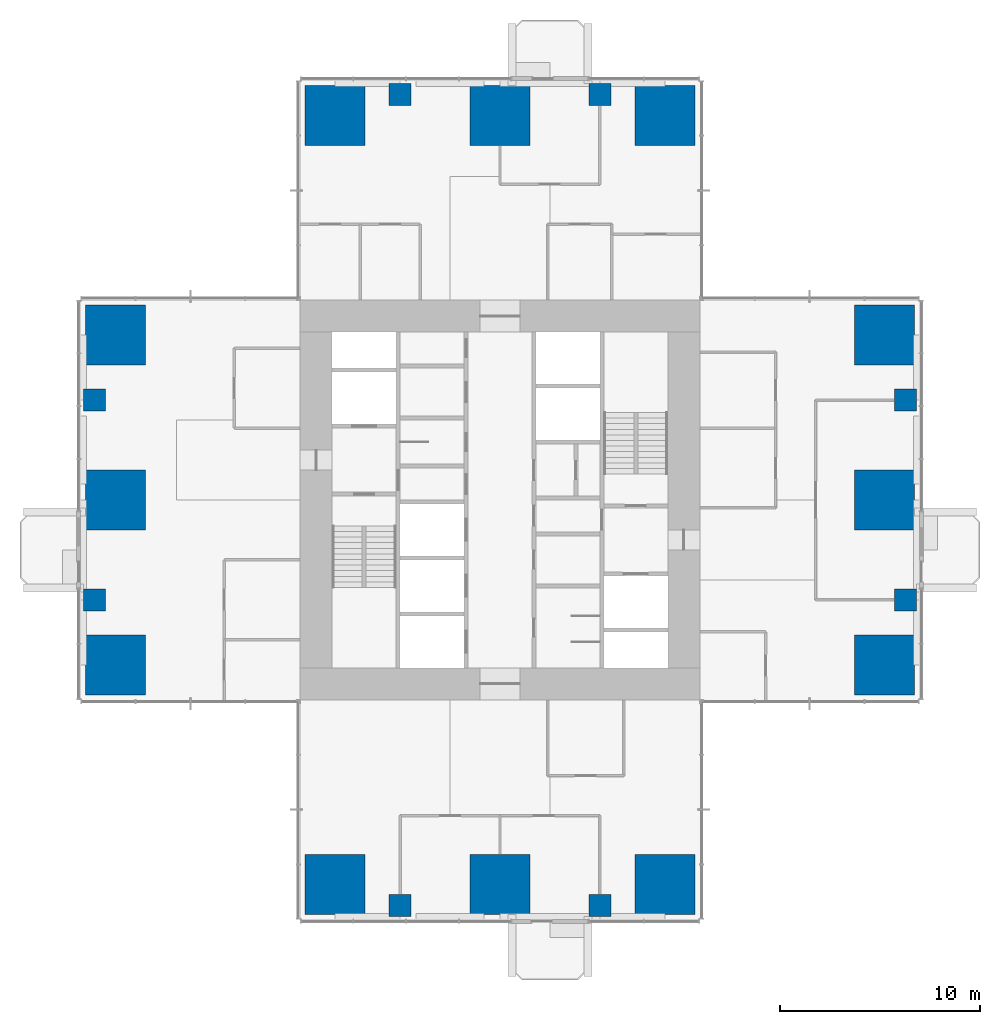
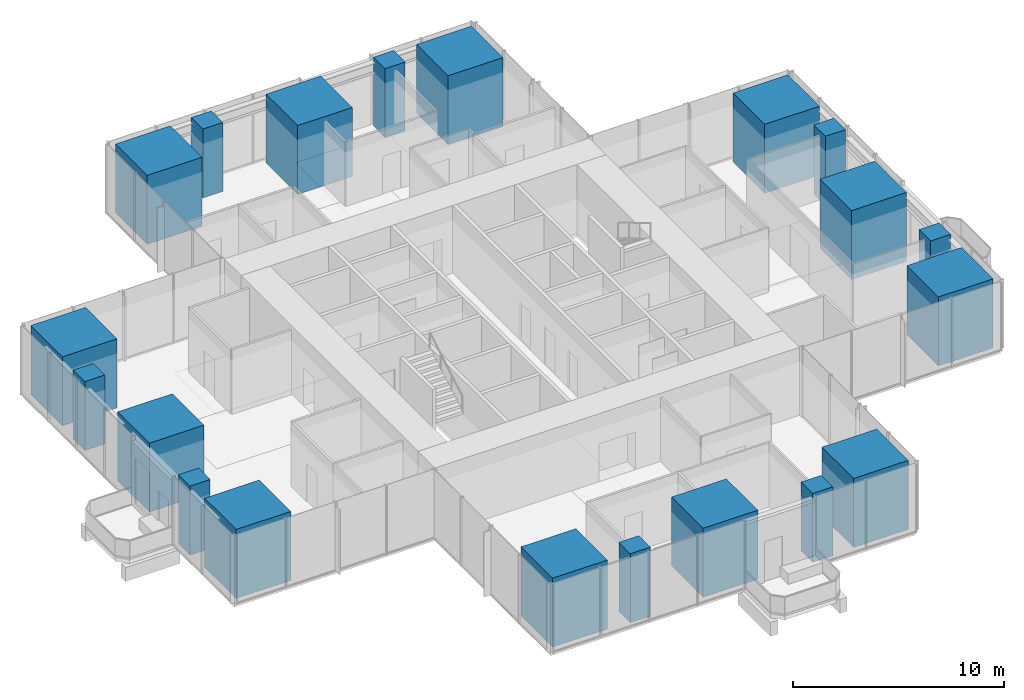
# One storey, part 1 of 13: 20 columns.
"""IFC4 building model written with IfcOpenShell, lengths in metres."""

from ifc_helpers import new_model, si_unit, direction, frame, origin, origin_2d, place, context, subcontext, project, spatial, rectangle, extrude, material, material_profile, profile_set, type_object, element, save


model = new_model("IFC4")

# Units and contexts
model_context = context("Model", 3, precision=1e-05, world=origin(), true_north=direction((0.0, 1.0)))
body_context = subcontext(model_context, "Body", "Model", "MODEL_VIEW")
ifc_project = project(units=[si_unit("LENGTHUNIT", "METRE"), si_unit("AREAUNIT", "SQUARE_METRE"), si_unit("VOLUMEUNIT", "CUBIC_METRE"), si_unit("PLANEANGLEUNIT", "RADIAN"), si_unit("MASSUNIT", "GRAM", prefix="KILO")], contexts=[model_context])

# Site, building, storey
site_placement = place(None, origin())
site = spatial("IfcSite", under=ifc_project, at=site_placement, CompositionType="ELEMENT")
building_placement = place(site_placement, origin())
building = spatial("IfcBuilding", under=site, at=building_placement, Name="Svetlomir Tower", CompositionType="ELEMENT")
storey_placement = place(building_placement, frame((0.0, 0.0, 152.5)))
storey = spatial("IfcBuildingStorey", under=building, at=storey_placement, Name="L36", CompositionType="ELEMENT", Elevation=152.5)

# Columns
ifc_material_1 = material(Name="Concrete C60/75", Category="concrete")
ifc_material_profile_1 = material_profile(ifc_material_1, rectangle(XDim=1.10009765625, YDim=1.10009765625, at=origin_2d()), Name="RC 1100x1100")
ifc_profile_set_1 = profile_set([ifc_material_profile_1], Name="Concrete C60/75")
column_type_1 = type_object("IfcColumnType", Name="COLUMN RC 1100x1100", PredefinedType="COLUMN", material=ifc_profile_set_1)
for number, where, z_axis, x_axis, name in (
    (1, (16.0, 0.699951171875, 0.0), (0.0, 0.0, 1.0), (1.0, 0.0, 0.0), "Column 16/0 L36"),
    (2, (26.0, 0.699951171875, 0.0), (0.0, 0.0, 1.0), (1.0, 0.0, 0.0), "Column 26/0 L36"),
    (3, (0.699951171875, 16.0, 0.0), (0.0, 0.0, 1.0), (1.0, 0.0, 0.0), "Column 0/16 L36"),
    (4, (41.300048828125, 16.0, 0.0), (0.0, 0.0, 1.0), (1.0, 0.0, 0.0), "Column 42/16 L36"),
    (5, (0.699951171875, 26.0, 0.0), (0.0, 0.0, 1.0), (1.0, 0.0, 0.0), "Column 0/26 L36"),
    (6, (41.300048828125, 26.0, 0.0), (0.0, 0.0, 1.0), (1.0, 0.0, 0.0), "Column 42/26 L36"),
    (7, (16.0, 41.300048828125, 0.0), (0.0, 0.0, 1.0), (1.0, 0.0, 0.0), "Column 16/42 L36"),
    (8, (26.0, 41.300048828125, 0.0), (0.0, 0.0, 1.0), (1.0, 0.0, 0.0), "Column 26/42 L36"),
):
    element("IfcColumn", number, at=place(storey_placement, frame(where, z_axis=z_axis, x_axis=x_axis)), inside=storey, type_object=column_type_1, Name=name, PredefinedType="COLUMN", context=body_context, shape_type="SweptSolid", body=[
        extrude(rectangle(XDim=1.10009765625, YDim=1.10009765625, at=origin_2d()), origin(), (0.0, 0.0, 1.0), 4.0),
    ])
ifc_material_2 = material(Name="Concrete C60/75", Category="concrete")
ifc_material_profile_2 = material_profile(ifc_material_2, rectangle(XDim=3.0, YDim=3.0, at=origin_2d()), Name="RC 3000x3000")
ifc_profile_set_2 = profile_set([ifc_material_profile_2], Name="Concrete C60/75")
column_type_2 = type_object("IfcColumnType", Name="COLUMN RC 3000x3000", PredefinedType="COLUMN", material=ifc_profile_set_2)
for number, where, z_axis, x_axis, name in (
    (9, (12.75, 1.75, 0.0), (0.0, 0.0, 1.0), (1.0, 0.0, 0.0), "Column 11/0 L36"),
    (10, (21.0, 1.75, 0.0), (0.0, 0.0, 1.0), (1.0, 0.0, 0.0), "Column 21/0 L36"),
    (11, (29.25, 1.75, 0.0), (0.0, 0.0, 1.0), (1.0, 0.0, 0.0), "Column 31/0 L36"),
    (12, (1.75, 12.75, 0.0), (0.0, 0.0, 1.0), (1.0, 0.0, 0.0), "Column 0/11 L36"),
    (13, (40.25, 12.75, 0.0), (0.0, 0.0, 1.0), (1.0, 0.0, 0.0), "Column 42/11 L36"),
    (14, (1.75, 21.0, 0.0), (0.0, 0.0, 1.0), (1.0, 0.0, 0.0), "Column 0/21 L36"),
    (15, (40.25, 21.0, 0.0), (0.0, 0.0, 1.0), (1.0, 0.0, 0.0), "Column 42/21 L36"),
    (16, (1.75, 29.25, 0.0), (0.0, 0.0, 1.0), (1.0, 0.0, 0.0), "Column 0/31 L36"),
    (17, (40.25, 29.25, 0.0), (0.0, 0.0, 1.0), (1.0, 0.0, 0.0), "Column 42/31 L36"),
    (18, (12.75, 40.25, 0.0), (0.0, 0.0, 1.0), (1.0, 0.0, 0.0), "Column 11/42 L36"),
    (19, (21.0, 40.25, 0.0), (0.0, 0.0, 1.0), (1.0, 0.0, 0.0), "Column 21/42 L36"),
    (20, (29.25, 40.25, 0.0), (0.0, 0.0, 1.0), (1.0, 0.0, 0.0), "Column 31/42 L36"),
):
    element("IfcColumn", number, at=place(storey_placement, frame(where, z_axis=z_axis, x_axis=x_axis)), inside=storey, type_object=column_type_2, Name=name, PredefinedType="COLUMN", context=body_context, shape_type="SweptSolid", body=[
        extrude(rectangle(XDim=3.0, YDim=3.0, at=origin_2d()), origin(), (0.0, 0.0, 1.0), 4.0),
    ])

save(model, "model.ifc")
